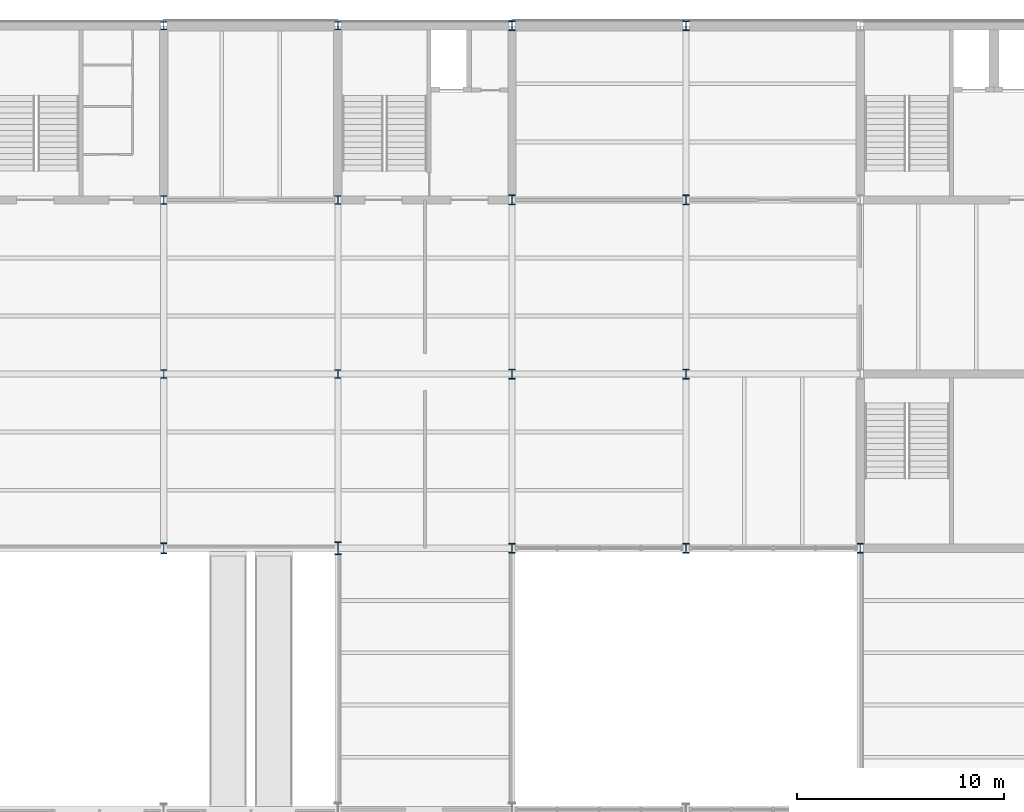
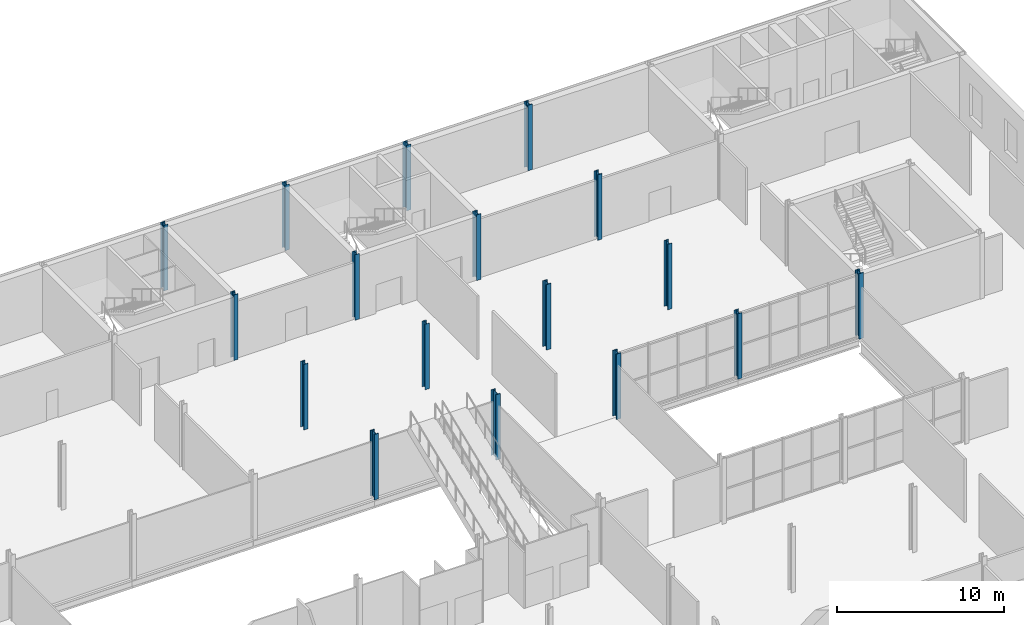
# One storey, part 7 of 57: 17 columns.
"""IFC4 building model written with IfcOpenShell, lengths in metres."""

from ifc_helpers import new_model, si_unit, direction, frame, origin, origin_2d, place, context, subcontext, project, spatial, i_section, extrude, material, material_profile, profile_set, type_object, element, save


model = new_model("IFC4")

# Units and contexts
model_context = context("Model", 3, precision=1e-05, world=origin(), true_north=direction((0.0, 1.0)))
body_context = subcontext(model_context, "Body", "Model", "MODEL_VIEW")
ifc_project = project(units=[si_unit("LENGTHUNIT", "METRE"), si_unit("AREAUNIT", "SQUARE_METRE"), si_unit("VOLUMEUNIT", "CUBIC_METRE"), si_unit("PLANEANGLEUNIT", "RADIAN"), si_unit("MASSUNIT", "GRAM", prefix="KILO")], contexts=[model_context])

# Site, building, storey
site_placement = place(None, origin())
site = spatial("IfcSite", under=ifc_project, at=site_placement, CompositionType="ELEMENT")
building_placement = place(site_placement, origin())
building = spatial("IfcBuilding", under=site, at=building_placement, Name="Galleria Vessillo Department Store", CompositionType="ELEMENT")
storey_placement = place(building_placement, frame((0.0, 0.0, 21.0)))
storey = spatial("IfcBuildingStorey", under=building, at=storey_placement, Name="L04", CompositionType="ELEMENT", Elevation=21.0)

# Columns
ifc_material_1 = material(Name="Steel S355 J2", Category="steel")
ifc_material_profile_1 = material_profile(ifc_material_1, i_section(OverallWidth=0.300048828125, OverallDepth=0.39990234375, WebThickness=0.013427734375, FlangeThickness=0.02392578125, FilletRadius=0.027099609375, at=origin_2d()), Name="HEB 400")
ifc_profile_set_1 = profile_set([ifc_material_profile_1], Name="Steel S355 J2")
column_type_1 = type_object("IfcColumnType", Name="Steel column HEB 400 CP2", PredefinedType="COLUMN", material=ifc_profile_set_1)
for number, where, z_axis, x_axis, name in (
    (1, (67.199951171875, 46.199951171875, 0.0), (0.0, 0.0, 1.0), (1.0, 0.0, 0.0), "S-COL-L04-9-F"),
    (2, (67.199951171875, 54.60009765625, 0.0), (0.0, 0.0, 1.0), (1.0, 0.0, 0.0), "S-COL-L04-9-G"),
    (3, (67.199951171875, 63.0, 0.0), (0.0, 0.0, 1.0), (1.0, 0.0, 0.0), "S-COL-L04-9-H"),
    (4, (75.60009765625, 46.199951171875, 0.0), (0.0, 0.0, 1.0), (1.0, 0.0, 0.0), "S-COL-L04-10-F"),
    (5, (75.60009765625, 54.60009765625, 0.0), (0.0, 0.0, 1.0), (1.0, 0.0, 0.0), "S-COL-L04-10-G"),
    (6, (75.60009765625, 63.0, 0.0), (0.0, 0.0, 1.0), (1.0, 0.0, 0.0), "S-COL-L04-10-H"),
):
    element("IfcColumn", number, at=place(storey_placement, frame(where, z_axis=z_axis, x_axis=x_axis)), inside=storey, type_object=column_type_1, Name=name, PredefinedType="COLUMN", context=body_context, shape_type="SweptSolid", body=[
        extrude(i_section(OverallWidth=0.300048828125, OverallDepth=0.39990234375, WebThickness=0.013427734375, FlangeThickness=0.02392578125, FilletRadius=0.027099609375, at=origin_2d()), origin(), (0.0, 0.0, 1.0), 4.800048828125),
    ])
ifc_material_2 = material(Name="Steel S355 J2", Category="steel")
ifc_material_profile_2 = material_profile(ifc_material_2, i_section(OverallWidth=0.306884765625, OverallDepth=0.47802734375, WebThickness=0.02099609375, FlangeThickness=0.0400390625, FilletRadius=0.027099609375, at=origin_2d()), Name="HEM 450")
ifc_profile_set_2 = profile_set([ifc_material_profile_2], Name="Steel S355 J2")
column_type_2 = type_object("IfcColumnType", Name="Steel column HEM 450 CT2", PredefinedType="COLUMN", material=ifc_profile_set_2)
for number, where, z_axis, x_axis, name in (
    (7, (84.0, 37.800048828125, 0.0), (0.0, 0.0, 1.0), (1.0, 0.0, 0.0), "S-COL-L04-11-E"),
    (8, (84.0, 46.199951171875, 0.0), (0.0, 0.0, 1.0), (1.0, 0.0, 0.0), "S-COL-L04-11-F"),
    (9, (84.0, 54.60009765625, 0.0), (0.0, 0.0, 1.0), (1.0, 0.0, 0.0), "S-COL-L04-11-G"),
    (10, (84.0, 63.0, 0.0), (0.0, 0.0, 1.0), (1.0, 0.0, 0.0), "S-COL-L04-11-H"),
    (11, (92.39990234375, 37.800048828125, 0.0), (0.0, 0.0, 1.0), (1.0, 0.0, 0.0), "S-COL-L04-12-E"),
    (12, (92.39990234375, 46.199951171875, 0.0), (0.0, 0.0, 1.0), (1.0, 0.0, 0.0), "S-COL-L04-12-F"),
    (13, (92.39990234375, 54.60009765625, 0.0), (0.0, 0.0, 1.0), (1.0, 0.0, 0.0), "S-COL-L04-12-G"),
    (14, (92.39990234375, 63.0, 0.0), (0.0, 0.0, 1.0), (1.0, 0.0, 0.0), "S-COL-L04-12-H"),
    (15, (100.800048828125, 37.800048828125, 0.0), (0.0, 0.0, 1.0), (1.0, 0.0, 0.0), "S-COL-L04-13-E"),
):
    element("IfcColumn", number, at=place(storey_placement, frame(where, z_axis=z_axis, x_axis=x_axis)), inside=storey, type_object=column_type_2, Name=name, PredefinedType="COLUMN", context=body_context, shape_type="SweptSolid", body=[
        extrude(i_section(OverallWidth=0.306884765625, OverallDepth=0.47802734375, WebThickness=0.02099609375, FlangeThickness=0.0400390625, FilletRadius=0.027099609375, at=origin_2d()), origin(), (0.0, 0.0, 1.0), 4.800048828125),
    ])
ifc_material_3 = material(Name="Steel S355 J2", Category="steel")
ifc_material_profile_3 = material_profile(ifc_material_3, i_section(OverallWidth=0.305908203125, OverallDepth=0.52392578125, WebThickness=0.02099609375, FlangeThickness=0.0400390625, FilletRadius=0.027099609375, at=origin_2d()), Name="HEM 500")
ifc_profile_set_3 = profile_set([ifc_material_profile_3], Name="Steel S355 J2")
column_type_3 = type_object("IfcColumnType", Name="Steel column HEM 500 CV1", PredefinedType="COLUMN", material=ifc_profile_set_3)
column_1_placement = place(storey_placement, frame((67.199951171875, 37.800048828125, 0.0), z_axis=(0.0, 0.0, 1.0), x_axis=(1.0, 0.0, 0.0)))
element("IfcColumn", 16, at=column_1_placement, inside=storey, type_object=column_type_3, Name="S-COL-L04-9-E", PredefinedType="COLUMN", context=body_context, shape_type="SweptSolid", body=[
    extrude(i_section(OverallWidth=0.305908203125, OverallDepth=0.52392578125, WebThickness=0.02099609375, FlangeThickness=0.0400390625, FilletRadius=0.027099609375, at=origin_2d()), origin(), (0.0, 0.0, 1.0), 4.800048828125),
])
ifc_material_4 = material(Name="Steel S355 J2", Category="steel")
ifc_material_profile_4 = material_profile(ifc_material_4, i_section(OverallWidth=0.304931640625, OverallDepth=0.6201171875, WebThickness=0.02099609375, FlangeThickness=0.0400390625, FilletRadius=0.027099609375, at=origin_2d()), Name="HEM 600")
ifc_profile_set_4 = profile_set([ifc_material_profile_4], Name="Steel S355 J2")
column_type_4 = type_object("IfcColumnType", Name="Steel column HEM 600 CV2", PredefinedType="COLUMN", material=ifc_profile_set_4)
column_2_placement = place(storey_placement, frame((75.60009765625, 37.800048828125, 0.0), z_axis=(0.0, 0.0, 1.0), x_axis=(1.0, 0.0, 0.0)))
element("IfcColumn", 17, at=column_2_placement, inside=storey, type_object=column_type_4, Name="S-COL-L04-10-E", PredefinedType="COLUMN", context=body_context, shape_type="SweptSolid", body=[
    extrude(i_section(OverallWidth=0.304931640625, OverallDepth=0.6201171875, WebThickness=0.02099609375, FlangeThickness=0.0400390625, FilletRadius=0.027099609375, at=origin_2d()), origin(), (0.0, 0.0, 1.0), 4.800048828125),
])

save(model, "model.ifc")
